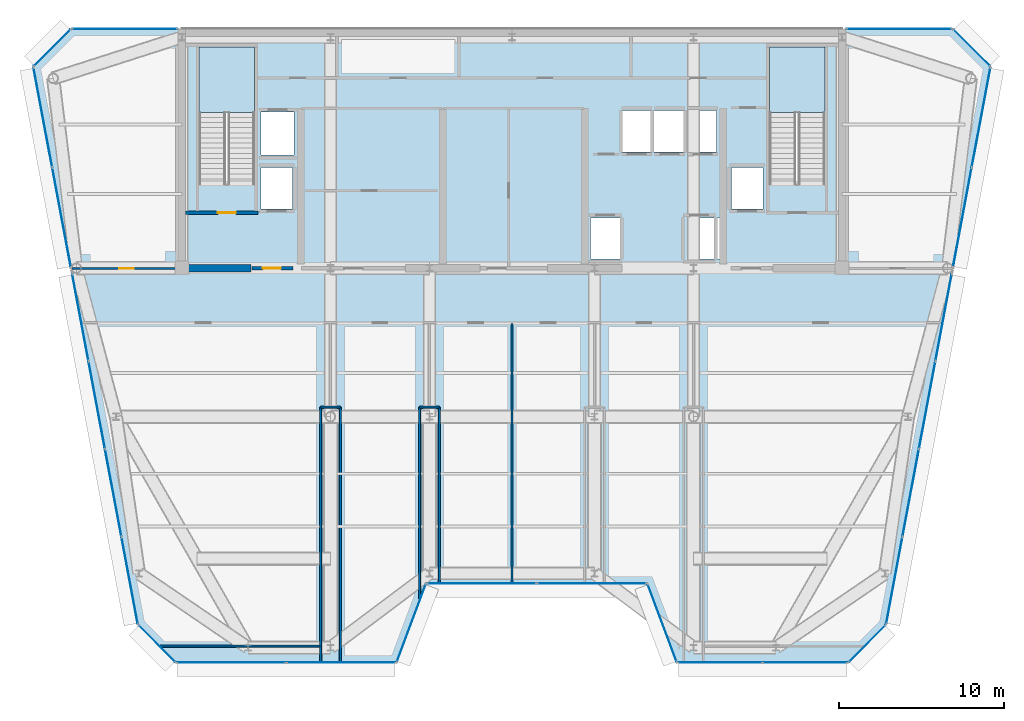
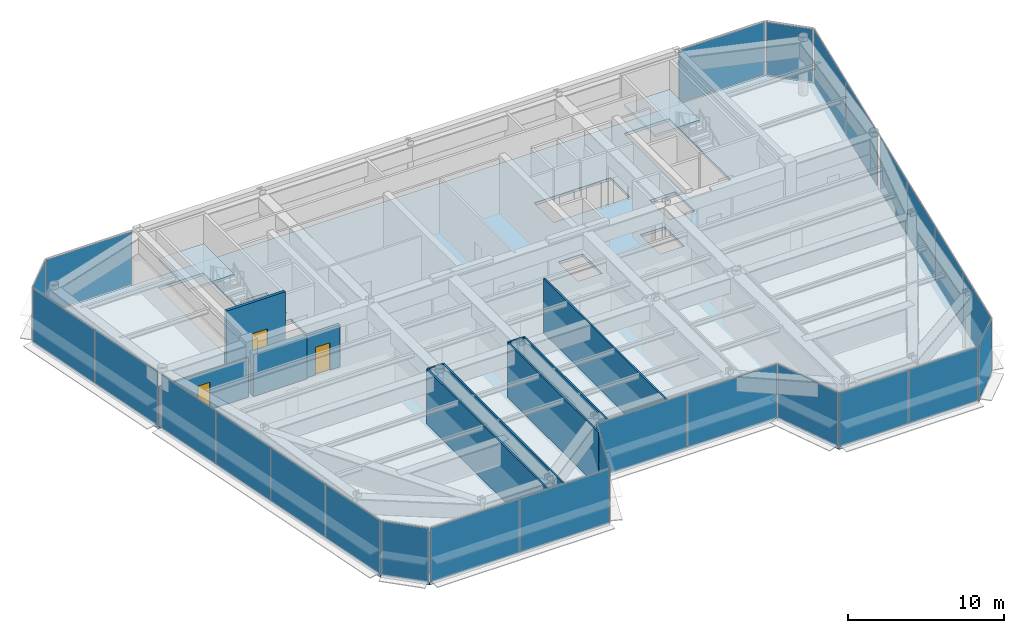
# One storey, part 10 of 20: 26 plates, 12 walls, 3 doors, 3 slabs, 3 openings, 17 elements without a shape of their own.
"""IFC4 building model written with IfcOpenShell, lengths in metres."""

from ifc_helpers import new_model, si_unit, direction, frame, frame_2d, origin, origin_2d, place, context, subcontext, project, spatial, polyline, rectangle, outline, extrude, source, transform, mapped, material, layer, layer_set, type_object, element, fill, aggregate, save


model = new_model("IFC4")

# Units and contexts
model_context = context("Model", 3, precision=1e-05, world=origin(), true_north=direction((0.0, 1.0)))
body_context = subcontext(model_context, "Body", "Model", "MODEL_VIEW")
ifc_project = project(units=[si_unit("LENGTHUNIT", "METRE"), si_unit("AREAUNIT", "SQUARE_METRE"), si_unit("VOLUMEUNIT", "CUBIC_METRE"), si_unit("PLANEANGLEUNIT", "RADIAN"), si_unit("MASSUNIT", "GRAM", prefix="KILO")], contexts=[model_context])

# Site, building, storey
site_placement = place(None, origin())
site = spatial("IfcSite", under=ifc_project, at=site_placement, CompositionType="ELEMENT")
building_placement = place(site_placement, origin())
building = spatial("IfcBuilding", under=site, at=building_placement, Name="Vaeldorn Concourse Tower", CompositionType="ELEMENT")
storey_placement = place(building_placement, frame((0.0, 0.0, 299.199951171875)))
storey = spatial("IfcBuildingStorey", under=building, at=storey_placement, Name="L77", CompositionType="ELEMENT", Elevation=299.199951171875)

# Stair, slab
ifc_material_1 = material(Name="Precast concrete C40/50", Category="concrete")
stair_type = type_object("IfcStairType", Name="STR-DOG-30x153", PredefinedType="HALF_TURN_STAIR", material=ifc_material_1)
stair_1_placement = place(storey_placement, origin())
stair_1 = element("IfcStair", 1, at=stair_1_placement, inside=storey, type_object=stair_type, Name="L77 West Core Exit Stair ST-1", PredefinedType="HALF_TURN_STAIR")
ifc_material_2 = material(Name="Concrete C40/50", Category="concrete")
ifc_layer_1 = layer(ifc_material_2, 0.199951171875)
ifc_layer_set_1 = layer_set([ifc_layer_1], Name="Concrete C40/50")
slab_type_1 = type_object("IfcSlabType", Name="SL-STAIR-LANDING", PredefinedType="LANDING", material=ifc_layer_set_1)
slab_1_placement = place(storey_placement, frame((0.0, 0.0, 2.10009765625)))
slab_1 = element("IfcSlab", 2, at=slab_1_placement, type_object=slab_type_1, Name="ST-1 landing 1", PredefinedType="LANDING", context=body_context, shape_type="SweptSolid", body=[
    extrude(outline(polyline([(18.39990234375, 45.93994140625), (18.39990234375, 49.89990234375), (15.050048828125, 49.89990234375), (15.050048828125, 45.93994140625), (18.39990234375, 45.93994140625)])), origin(), (0.0, 0.0, 1.0), 0.199951171875),
])
aggregate(stair_1, [slab_1])

stair_2_placement = place(storey_placement, origin())
stair_2 = element("IfcStair", 3, at=stair_2_placement, inside=storey, type_object=stair_type, Name="L77 East Core Exit Stair ST-2", PredefinedType="HALF_TURN_STAIR")
slab_2_placement = place(storey_placement, frame((0.0, 0.0, 2.10009765625)))
slab_2 = element("IfcSlab", 4, at=slab_2_placement, type_object=slab_type_1, Name="ST-2 landing 1", PredefinedType="LANDING", context=body_context, shape_type="SweptSolid", body=[
    extrude(outline(polyline([(52.949951171875, 45.93994140625), (52.949951171875, 49.89990234375), (49.60009765625, 49.89990234375), (49.60009765625, 45.93994140625), (52.949951171875, 45.93994140625)])), origin(), (0.0, 0.0, 1.0), 0.199951171875),
])
aggregate(stair_2, [slab_2])

# Slab
ifc_layer_2 = layer(ifc_material_2, 0.219970703125)
ifc_layer_set_2 = layer_set([ifc_layer_2], Name="Concrete C40/50")
slab_type_2 = type_object("IfcSlabType", Name="SL-TYP-220", PredefinedType="FLOOR", material=ifc_layer_set_2)
slab_3_placement = place(storey_placement, frame((0.0, 0.0, -0.219970703125)))
element("IfcSlab", 5, at=slab_3_placement, inside=storey, type_object=slab_type_2, Name="Structural Floor Slab L77", PredefinedType="FLOOR", context=body_context, shape_type="SweptSolid", body=[
    extrude(outline(polyline([(13.635986328125, 12.60009765625), (27.0, 12.60009765625), (28.800048828125, 17.39990234375), (42.199951171875, 17.39990234375), (44.0, 12.60009765625), (54.364013671875, 12.60009765625), (56.6640625, 14.89990234375), (63.0, 48.699951171875), (60.699951171875, 51.0), (7.300048828125, 51.0), (5.0, 48.699951171875), (11.3359375, 14.89990234375), (13.635986328125, 12.60009765625)]), holes=[polyline([(18.39990234375, 42.0), (18.39990234375, 49.89990234375), (15.050048828125, 49.89990234375), (15.050048828125, 41.60009765625), (16.800048828125, 41.60009765625), (16.800048828125, 42.0), (18.39990234375, 42.0)]), polyline([(52.949951171875, 42.0), (52.949951171875, 49.89990234375), (49.60009765625, 49.89990234375), (49.60009765625, 41.60009765625), (51.35009765625, 41.60009765625), (51.35009765625, 42.0), (52.949951171875, 42.0)]), polyline([(38.75, 37.050048828125), (40.550048828125, 37.050048828125), (40.550048828125, 39.550048828125), (38.75, 39.550048828125), (38.75, 37.050048828125)]), polyline([(44.85009765625, 37.050048828125), (46.64990234375, 37.050048828125), (46.64990234375, 39.550048828125), (44.85009765625, 39.550048828125), (44.85009765625, 37.050048828125)]), polyline([(40.699951171875, 43.550048828125), (46.39990234375, 43.550048828125), (46.39990234375, 46.050048828125), (40.699951171875, 46.050048828125), (40.699951171875, 43.550048828125)]), polyline([(18.800048828125, 43.35009765625), (20.800048828125, 43.35009765625), (20.800048828125, 45.949951171875), (18.800048828125, 45.949951171875), (18.800048828125, 43.35009765625)]), polyline([(18.800048828125, 40.10009765625), (20.699951171875, 40.10009765625), (20.699951171875, 42.60009765625), (18.800048828125, 42.60009765625), (18.800048828125, 40.10009765625)]), polyline([(47.300048828125, 40.10009765625), (49.199951171875, 40.10009765625), (49.199951171875, 42.60009765625), (47.300048828125, 42.60009765625), (47.300048828125, 40.10009765625)])]), origin(), (0.0, 0.0, 1.0), 0.219970703125),
])

# Curtain wall, plates
ifc_material_3 = material(Name="Anodised Bronze Aluminium", Category="aluminium")
ifc_layer_3 = layer(ifc_material_3, 0.179931640625)
ifc_layer_set_3 = layer_set([ifc_layer_3], Name="Anodised Bronze Aluminium")
curtain_wall_type = type_object("IfcCurtainWallType", Name="CW-SYS-05", PredefinedType="NOTDEFINED", material=ifc_layer_set_3)
curtain_wall_1_placement = place(storey_placement, origin())
curtain_wall_1 = element("IfcCurtainWall", 6, at=curtain_wall_1_placement, inside=storey, type_object=curtain_wall_type, Name="Unitised Curtain Wall CW-L77-E01-1", PredefinedType="NOTDEFINED")
ifc_material_4 = material(Name="Bronze Tinted Low-E Insulated Glass", Category="glass")
ifc_layer_4 = layer(ifc_material_4, 0.031982421875)
ifc_layer_set_4 = layer_set([ifc_layer_4], Name="Bronze Tinted Low-E Insulated Glass")
plate_type = type_object("IfcPlateType", Name="CWP-VISION-32", PredefinedType="CURTAIN_PANEL", material=ifc_layer_set_4)
shared_shape_1 = source(origin(), body_context, "Body", "SweptSolid", [
    extrude(rectangle(XDim=6.58447265625, YDim=0.031982421875, at=origin_2d()), origin(), (0.0, 0.0, 1.0), 4.169921875),
])
plate_1_placement = place(storey_placement, frame((16.9931640625, 12.60009765625, 0.065185546875), z_axis=(0.0, 0.0, 1.0), x_axis=(1.0, 0.0, 0.0)))
plate_1 = element("IfcPlate", 7, at=plate_1_placement, type_object=plate_type, Name="CW-05 panel 1.1", PredefinedType="CURTAIN_PANEL", context=body_context, shape_type="MappedRepresentation", body=[
    mapped(shared_shape_1, transform((0.0, 0.0, 0.0), scale=1.0)),
])
plate_2_placement = place(storey_placement, frame((23.642822265625, 12.60009765625, 0.065185546875), z_axis=(0.0, 0.0, 1.0), x_axis=(1.0, 0.0, 0.0)))
plate_2 = element("IfcPlate", 8, at=plate_2_placement, type_object=plate_type, Name="CW-05 panel 2.1", PredefinedType="CURTAIN_PANEL", context=body_context, shape_type="MappedRepresentation", body=[
    mapped(shared_shape_1, transform((0.0, 0.0, 0.0), scale=1.0)),
])
aggregate(curtain_wall_1, [plate_1, plate_2])

# Curtain wall, plate
curtain_wall_2_placement = place(storey_placement, origin())
curtain_wall_2 = element("IfcCurtainWall", 9, at=curtain_wall_2_placement, inside=storey, type_object=curtain_wall_type, Name="Unitised Curtain Wall CW-L77-E02-1", PredefinedType="NOTDEFINED")
shared_shape_2 = source(origin(), body_context, "Body", "SweptSolid", [
    extrude(rectangle(XDim=4.996337890625, YDim=0.031982421875, at=origin_2d()), origin(), (0.0, 0.0, 1.0), 4.169921875),
])
plate_3_placement = place(storey_placement, frame((27.89990234375, 15.0, 0.065185546875), z_axis=(0.0, 0.0, 1.0), x_axis=(0.351123441595, 0.936329177566, 0.0)))
plate_3 = element("IfcPlate", 10, at=plate_3_placement, type_object=plate_type, Name="CW-05 panel 1.1", PredefinedType="CURTAIN_PANEL", context=body_context, shape_type="MappedRepresentation", body=[
    mapped(shared_shape_2, transform((0.0, 0.0, 0.0), scale=1.0)),
])
aggregate(curtain_wall_2, [plate_3])

curtain_wall_3_placement = place(storey_placement, origin())
curtain_wall_3 = element("IfcCurtainWall", 11, at=curtain_wall_3_placement, inside=storey, type_object=curtain_wall_type, Name="Unitised Curtain Wall CW-L77-E04-1", PredefinedType="NOTDEFINED")
plate_4_placement = place(storey_placement, frame((43.10009765625, 15.0, 0.065185546875), z_axis=(0.0, 0.0, 1.0), x_axis=(0.351123441595, -0.936329177566, 0.0)))
plate_4 = element("IfcPlate", 12, at=plate_4_placement, type_object=plate_type, Name="CW-05 panel 1.1", PredefinedType="CURTAIN_PANEL", context=body_context, shape_type="MappedRepresentation", body=[
    mapped(shared_shape_2, transform((0.0, 0.0, 0.0), scale=1.0)),
])
aggregate(curtain_wall_3, [plate_4])

# Curtain wall, plates
curtain_wall_4_placement = place(storey_placement, origin())
curtain_wall_4 = element("IfcCurtainWall", 13, at=curtain_wall_4_placement, inside=storey, type_object=curtain_wall_type, Name="Unitised Curtain Wall CW-L77-E03-1", PredefinedType="NOTDEFINED")
shared_shape_3 = source(origin(), body_context, "Body", "SweptSolid", [
    extrude(rectangle(XDim=6.6025390625, YDim=0.031982421875, at=origin_2d()), origin(), (0.0, 0.0, 1.0), 4.169921875),
])
plate_5_placement = place(storey_placement, frame((32.166259765625, 17.39990234375, 0.065185546875), z_axis=(0.0, 0.0, 1.0), x_axis=(1.0, 0.0, 0.0)))
plate_5 = element("IfcPlate", 14, at=plate_5_placement, type_object=plate_type, Name="CW-05 panel 1.1", PredefinedType="CURTAIN_PANEL", context=body_context, shape_type="MappedRepresentation", body=[
    mapped(shared_shape_3, transform((0.0, 0.0, 0.0), scale=1.0)),
])
plate_6_placement = place(storey_placement, frame((38.833740234375, 17.39990234375, 0.065185546875), z_axis=(0.0, 0.0, 1.0), x_axis=(1.0, 0.0, 0.0)))
plate_6 = element("IfcPlate", 15, at=plate_6_placement, type_object=plate_type, Name="CW-05 panel 2.1", PredefinedType="CURTAIN_PANEL", context=body_context, shape_type="MappedRepresentation", body=[
    mapped(shared_shape_3, transform((0.0, 0.0, 0.0), scale=1.0)),
])
aggregate(curtain_wall_4, [plate_5, plate_6])

curtain_wall_5_placement = place(storey_placement, origin())
curtain_wall_5 = element("IfcCurtainWall", 16, at=curtain_wall_5_placement, inside=storey, type_object=curtain_wall_type, Name="Unitised Curtain Wall CW-L77-E05-1", PredefinedType="NOTDEFINED")
shared_shape_4 = source(origin(), body_context, "Body", "SweptSolid", [
    extrude(rectangle(XDim=5.08447265625, YDim=0.031982421875, at=origin_2d()), origin(), (0.0, 0.0, 1.0), 4.169921875),
])
plate_7_placement = place(storey_placement, frame((46.607177734375, 12.60009765625, 0.065185546875), z_axis=(0.0, 0.0, 1.0), x_axis=(1.0, 0.0, 0.0)))
plate_7 = element("IfcPlate", 17, at=plate_7_placement, type_object=plate_type, Name="CW-05 panel 1.1", PredefinedType="CURTAIN_PANEL", context=body_context, shape_type="MappedRepresentation", body=[
    mapped(shared_shape_4, transform((0.0, 0.0, 0.0), scale=1.0)),
])
plate_8_placement = place(storey_placement, frame((51.7568359375, 12.60009765625, 0.065185546875), z_axis=(0.0, 0.0, 1.0), x_axis=(1.0, 0.0, 0.0)))
plate_8 = element("IfcPlate", 18, at=plate_8_placement, type_object=plate_type, Name="CW-05 panel 2.1", PredefinedType="CURTAIN_PANEL", context=body_context, shape_type="MappedRepresentation", body=[
    mapped(shared_shape_4, transform((0.0, 0.0, 0.0), scale=1.0)),
])
aggregate(curtain_wall_5, [plate_7, plate_8])

# Curtain wall, plate
curtain_wall_6_placement = place(storey_placement, origin())
curtain_wall_6 = element("IfcCurtainWall", 19, at=curtain_wall_6_placement, inside=storey, type_object=curtain_wall_type, Name="Unitised Curtain Wall CW-L77-E06-1", PredefinedType="NOTDEFINED")
shared_shape_5 = source(origin(), body_context, "Body", "SweptSolid", [
    extrude(rectangle(XDim=3.122802734375, YDim=0.031982421875, at=origin_2d()), origin(), (0.0, 0.0, 1.0), 4.169921875),
])
plate_9_placement = place(storey_placement, frame((55.513916015625, 13.75, 0.065185546875), z_axis=(0.0, 0.0, 1.0), x_axis=(0.707106781187, 0.707106781187, 0.0)))
plate_9 = element("IfcPlate", 20, at=plate_9_placement, type_object=plate_type, Name="CW-05 panel 1.1", PredefinedType="CURTAIN_PANEL", context=body_context, shape_type="MappedRepresentation", body=[
    mapped(shared_shape_5, transform((0.0, 0.0, 0.0), scale=1.0)),
])
aggregate(curtain_wall_6, [plate_9])

curtain_wall_7_placement = place(storey_placement, origin())
curtain_wall_7 = element("IfcCurtainWall", 21, at=curtain_wall_7_placement, inside=storey, type_object=curtain_wall_type, Name="Unitised Curtain Wall CW-L77-E08-1", PredefinedType="NOTDEFINED")
plate_10_placement = place(storey_placement, frame((61.85009765625, 49.85009765625, 0.065185546875), z_axis=(0.0, 0.0, 1.0), x_axis=(-0.707106781187, 0.707106781187, 0.0)))
plate_10 = element("IfcPlate", 22, at=plate_10_placement, type_object=plate_type, Name="CW-05 panel 1.1", PredefinedType="CURTAIN_PANEL", context=body_context, shape_type="MappedRepresentation", body=[
    mapped(shared_shape_5, transform((0.0, 0.0, 0.0), scale=1.0)),
])
aggregate(curtain_wall_7, [plate_10])

curtain_wall_8_placement = place(storey_placement, origin())
curtain_wall_8 = element("IfcCurtainWall", 23, at=curtain_wall_8_placement, inside=storey, type_object=curtain_wall_type, Name="Unitised Curtain Wall CW-L77-E10-1", PredefinedType="NOTDEFINED")
plate_11_placement = place(storey_placement, frame((6.14990234375, 49.85009765625, 0.065185546875), z_axis=(0.0, 0.0, 1.0), x_axis=(-0.707106781187, -0.707106781187, 0.0)))
plate_11 = element("IfcPlate", 24, at=plate_11_placement, type_object=plate_type, Name="CW-05 panel 1.1", PredefinedType="CURTAIN_PANEL", context=body_context, shape_type="MappedRepresentation", body=[
    mapped(shared_shape_5, transform((0.0, 0.0, 0.0), scale=1.0)),
])
aggregate(curtain_wall_8, [plate_11])

curtain_wall_9_placement = place(storey_placement, origin())
curtain_wall_9 = element("IfcCurtainWall", 25, at=curtain_wall_9_placement, inside=storey, type_object=curtain_wall_type, Name="Unitised Curtain Wall CW-L77-E12-1", PredefinedType="NOTDEFINED")
plate_12_placement = place(storey_placement, frame((12.486083984375, 13.75, 0.065185546875), z_axis=(0.0, 0.0, 1.0), x_axis=(0.707106781187, -0.707106781187, 0.0)))
plate_12 = element("IfcPlate", 26, at=plate_12_placement, type_object=plate_type, Name="CW-05 panel 1.1", PredefinedType="CURTAIN_PANEL", context=body_context, shape_type="MappedRepresentation", body=[
    mapped(shared_shape_5, transform((0.0, 0.0, 0.0), scale=1.0)),
])
aggregate(curtain_wall_9, [plate_12])

# Curtain wall, plates
curtain_wall_10_placement = place(storey_placement, origin())
curtain_wall_10 = element("IfcCurtainWall", 27, at=curtain_wall_10_placement, inside=storey, type_object=curtain_wall_type, Name="Unitised Curtain Wall CW-L77-E07-1", PredefinedType="NOTDEFINED")
shared_shape_6 = source(origin(), body_context, "Body", "SweptSolid", [
    extrude(rectangle(XDim=5.31640625, YDim=0.031982421875, at=origin_2d()), origin(), (0.0, 0.0, 1.0), 4.169921875),
])
plate_13_placement = place(storey_placement, frame((57.165771484375, 17.57666015625, 0.065185546875), z_axis=(0.0, 0.0, 1.0), x_axis=(0.184246714088, 0.982880027444, 0.0)))
plate_13 = element("IfcPlate", 28, at=plate_13_placement, type_object=plate_type, Name="CW-05 panel 1.1", PredefinedType="CURTAIN_PANEL", context=body_context, shape_type="MappedRepresentation", body=[
    mapped(shared_shape_6, transform((0.0, 0.0, 0.0), scale=1.0)),
])
plate_14_placement = place(storey_placement, frame((60.15234375, 33.50830078125, 0.065185546875), z_axis=(0.0, 0.0, 1.0), x_axis=(0.184246714088, 0.982880027444, 0.0)))
plate_14 = element("IfcPlate", 29, at=plate_14_placement, type_object=plate_type, Name="CW-05 panel 4.1", PredefinedType="CURTAIN_PANEL", context=body_context, shape_type="MappedRepresentation", body=[
    mapped(shared_shape_6, transform((0.0, 0.0, 0.0), scale=1.0)),
])

curtain_wall_11_placement = place(storey_placement, origin())
curtain_wall_11 = element("IfcCurtainWall", 30, at=curtain_wall_11_placement, inside=storey, type_object=curtain_wall_type, Name="Unitised Curtain Wall CW-L77-E11-2", PredefinedType="NOTDEFINED")
plate_15_placement = place(storey_placement, frame((7.84765625, 33.50830078125, 0.065185546875), z_axis=(0.0, 0.0, 1.0), x_axis=(0.184246714088, -0.982880027444, 0.0)))
plate_15 = element("IfcPlate", 31, at=plate_15_placement, type_object=plate_type, Name="CW-05 panel 1.1", PredefinedType="CURTAIN_PANEL", context=body_context, shape_type="MappedRepresentation", body=[
    mapped(shared_shape_6, transform((0.0, 0.0, 0.0), scale=1.0)),
])
plate_16_placement = place(storey_placement, frame((10.834228515625, 17.57666015625, 0.065185546875), z_axis=(0.0, 0.0, 1.0), x_axis=(0.184246714088, -0.982880027444, 0.0)))
plate_16 = element("IfcPlate", 32, at=plate_16_placement, type_object=plate_type, Name="CW-05 panel 4.1", PredefinedType="CURTAIN_PANEL", context=body_context, shape_type="MappedRepresentation", body=[
    mapped(shared_shape_6, transform((0.0, 0.0, 0.0), scale=1.0)),
])

# Plate
shared_shape_7 = source(origin(), body_context, "Body", "SweptSolid", [
    extrude(rectangle(XDim=5.348876953125, YDim=0.031982421875, at=origin_2d()), origin(), (0.0, 0.0, 1.0), 4.169921875),
])
plate_17_placement = place(storey_placement, frame((58.16015625, 22.8818359375, 0.065185546875), z_axis=(0.0, 0.0, 1.0), x_axis=(0.184246714088, 0.982880027444, 0.0)))
plate_17 = element("IfcPlate", 33, at=plate_17_placement, type_object=plate_type, Name="CW-05 panel 2.1", PredefinedType="CURTAIN_PANEL", context=body_context, shape_type="MappedRepresentation", body=[
    mapped(shared_shape_7, transform((0.0, 0.0, 0.0), scale=1.0)),
])

plate_18_placement = place(storey_placement, frame((59.15771484375, 28.203125, 0.065185546875), z_axis=(0.0, 0.0, 1.0), x_axis=(0.184246714088, 0.982880027444, 0.0)))
plate_18 = element("IfcPlate", 34, at=plate_18_placement, type_object=plate_type, Name="CW-05 panel 3.1", PredefinedType="CURTAIN_PANEL", context=body_context, shape_type="MappedRepresentation", body=[
    mapped(shared_shape_7, transform((0.0, 0.0, 0.0), scale=1.0)),
])

aggregate(curtain_wall_10, [plate_13, plate_17, plate_18, plate_14])

plate_19_placement = place(storey_placement, frame((8.84228515625, 28.203125, 0.065185546875), z_axis=(0.0, 0.0, 1.0), x_axis=(0.184246714088, -0.982880027444, 0.0)))
plate_19 = element("IfcPlate", 35, at=plate_19_placement, type_object=plate_type, Name="CW-05 panel 2.1", PredefinedType="CURTAIN_PANEL", context=body_context, shape_type="MappedRepresentation", body=[
    mapped(shared_shape_7, transform((0.0, 0.0, 0.0), scale=1.0)),
])

plate_20_placement = place(storey_placement, frame((9.83984375, 22.8818359375, 0.065185546875), z_axis=(0.0, 0.0, 1.0), x_axis=(0.184246714088, -0.982880027444, 0.0)))
plate_20 = element("IfcPlate", 36, at=plate_20_placement, type_object=plate_type, Name="CW-05 panel 3.1", PredefinedType="CURTAIN_PANEL", context=body_context, shape_type="MappedRepresentation", body=[
    mapped(shared_shape_7, transform((0.0, 0.0, 0.0), scale=1.0)),
])

aggregate(curtain_wall_11, [plate_15, plate_19, plate_20, plate_16])

# Curtain wall, plates
curtain_wall_12_placement = place(storey_placement, origin())
curtain_wall_12 = element("IfcCurtainWall", 37, at=curtain_wall_12_placement, inside=storey, type_object=curtain_wall_type, Name="Unitised Curtain Wall CW-L77-E07-2", PredefinedType="NOTDEFINED")
shared_shape_8 = source(origin(), body_context, "Body", "SweptSolid", [
    extrude(rectangle(XDim=6.103515625, YDim=0.031982421875, at=origin_2d()), origin(), (0.0, 0.0, 1.0), 4.169921875),
])
plate_21_placement = place(storey_placement, frame((61.289306640625, 39.57373046875, 0.065185546875), z_axis=(0.0, 0.0, 1.0), x_axis=(0.184245693053, 0.982880218842, 0.0)))
plate_21 = element("IfcPlate", 38, at=plate_21_placement, type_object=plate_type, Name="CW-05 panel 1.1", PredefinedType="CURTAIN_PANEL", context=body_context, shape_type="MappedRepresentation", body=[
    mapped(shared_shape_8, transform((0.0, 0.0, 0.0), scale=1.0)),
])
plate_22_placement = place(storey_placement, frame((62.42578125, 45.63671875, 0.065185546875), z_axis=(0.0, 0.0, 1.0), x_axis=(0.184245693053, 0.982880218842, 0.0)))
plate_22 = element("IfcPlate", 39, at=plate_22_placement, type_object=plate_type, Name="CW-05 panel 2.1", PredefinedType="CURTAIN_PANEL", context=body_context, shape_type="MappedRepresentation", body=[
    mapped(shared_shape_8, transform((0.0, 0.0, 0.0), scale=1.0)),
])
aggregate(curtain_wall_12, [plate_21, plate_22])

curtain_wall_13_placement = place(storey_placement, origin())
curtain_wall_13 = element("IfcCurtainWall", 40, at=curtain_wall_13_placement, inside=storey, type_object=curtain_wall_type, Name="Unitised Curtain Wall CW-L77-E11-1", PredefinedType="NOTDEFINED")
plate_23_placement = place(storey_placement, frame((5.57421875, 45.63671875, 0.065185546875), z_axis=(0.0, 0.0, 1.0), x_axis=(0.184245693053, -0.982880218842, 0.0)))
plate_23 = element("IfcPlate", 41, at=plate_23_placement, type_object=plate_type, Name="CW-05 panel 1.1", PredefinedType="CURTAIN_PANEL", context=body_context, shape_type="MappedRepresentation", body=[
    mapped(shared_shape_8, transform((0.0, 0.0, 0.0), scale=1.0)),
])
plate_24_placement = place(storey_placement, frame((6.710693359375, 39.57373046875, 0.065185546875), z_axis=(0.0, 0.0, 1.0), x_axis=(0.184245693053, -0.982880218842, 0.0)))
plate_24 = element("IfcPlate", 42, at=plate_24_placement, type_object=plate_type, Name="CW-05 panel 2.1", PredefinedType="CURTAIN_PANEL", context=body_context, shape_type="MappedRepresentation", body=[
    mapped(shared_shape_8, transform((0.0, 0.0, 0.0), scale=1.0)),
])
aggregate(curtain_wall_13, [plate_23, plate_24])

# Curtain wall, plate
curtain_wall_14_placement = place(storey_placement, origin())
curtain_wall_14 = element("IfcCurtainWall", 43, at=curtain_wall_14_placement, inside=storey, type_object=curtain_wall_type, Name="Unitised Curtain Wall CW-L77-E09-1", PredefinedType="NOTDEFINED")
shared_shape_9 = source(origin(), body_context, "Body", "SweptSolid", [
    extrude(rectangle(XDim=6.35009765625, YDim=0.031982421875, at=origin_2d()), origin(), (0.0, 0.0, 1.0), 4.169921875),
])
plate_25_placement = place(storey_placement, frame((57.4599609375, 51.0, 0.065185546875), z_axis=(0.0, 0.0, 1.0), x_axis=(-1.0, 0.0, 0.0)))
plate_25 = element("IfcPlate", 44, at=plate_25_placement, type_object=plate_type, Name="CW-05 panel 1.1", PredefinedType="CURTAIN_PANEL", context=body_context, shape_type="MappedRepresentation", body=[
    mapped(shared_shape_9, transform((0.0, 0.0, 0.0), scale=1.0)),
])
aggregate(curtain_wall_14, [plate_25])

curtain_wall_15_placement = place(storey_placement, origin())
curtain_wall_15 = element("IfcCurtainWall", 45, at=curtain_wall_15_placement, inside=storey, type_object=curtain_wall_type, Name="Unitised Curtain Wall CW-L77-E09-2", PredefinedType="NOTDEFINED")
plate_26_placement = place(storey_placement, frame((10.5400390625, 51.0, 0.065185546875), z_axis=(0.0, 0.0, 1.0), x_axis=(-1.0, 0.0, 0.0)))
plate_26 = element("IfcPlate", 46, at=plate_26_placement, type_object=plate_type, Name="CW-05 panel 1.1", PredefinedType="CURTAIN_PANEL", context=body_context, shape_type="MappedRepresentation", body=[
    mapped(shared_shape_9, transform((0.0, 0.0, 0.0), scale=1.0)),
])
aggregate(curtain_wall_15, [plate_26])

# Wall
ifc_material_5 = material(Name="Concrete C50/60", Category="concrete")
ifc_layer_5 = layer(ifc_material_5, 0.449951171875)
ifc_layer_set_5 = layer_set([ifc_layer_5], Name="Concrete C50/60")
wall_type_1 = type_object("IfcWallType", Name="WL-CORE-450", PredefinedType="SHEAR", material=ifc_layer_set_5)
wall_1_placement = place(storey_placement, frame((14.2451171875, 36.5, 0.0), z_axis=(0.0, 0.0, 1.0), x_axis=(1.0, 0.0, 0.0)))
element("IfcWall", 47, at=wall_1_placement, inside=storey, type_object=wall_type_1, Name="Rear Core Shear Wall L77 S1", PredefinedType="SHEAR", context=body_context, shape_type="SweptSolid", body=[
    extrude(rectangle(XDim=3.954833984375, YDim=0.449951171875, at=frame_2d((1.9775390625, 0.0))), origin(), (0.0, 0.0, 1.0), 3.300048828125),
])

# Wall, opening, door
ifc_material_6 = material(Name="Gypsum Board Partition", Category="gypsum")
ifc_layer_6 = layer(ifc_material_6, 0.1201171875)
ifc_layer_set_6 = layer_set([ifc_layer_6], Name="Gypsum Board Partition")
wall_type_2 = type_object("IfcWallType", Name="WL-PART-120", PredefinedType="PARTITIONING", material=ifc_layer_set_6)
wall_2_placement = place(storey_placement, frame((7.336181640625, 36.47998046875, 0.0), z_axis=(0.0, 0.0, 1.0), x_axis=(1.0, 0.0, 0.0)))
wall_2 = element("IfcWall", 48, at=wall_2_placement, inside=storey, type_object=wall_type_2, Name="Interior Wall PW-L77-NWS", PredefinedType="PARTITIONING", context=body_context, shape_type="SweptSolid", body=[
    extrude(rectangle(XDim=6.603759765625, YDim=0.1201171875, at=frame_2d((3.3017578125, 0.0))), origin(), (0.0, 0.0, 1.0), 3.090087890625),
])
opening_1_placement = place(wall_2_placement, frame((2.85205078125, 0.0, 0.0)))
opening_1 = element("IfcOpeningElement", 49, at=opening_1_placement, cuts=wall_2, Name="Opening D-03", PredefinedType="OPENING", context=body_context, shape_type="SweptSolid", body=[
    extrude(rectangle(XDim=0.89990234375, YDim=2.14990234375, at=frame_2d((0.449951171875, 1.074951171875))), frame((0.0, 0.070068359375, 0.0), z_axis=(0.0, -1.0, 0.0), x_axis=(1.0, 0.0, 0.0)), (0.0, 0.0, 1.0), 0.14013671875),
])
ifc_material_7 = material(Name="Acoustic Bronze-Framed Glass Door", Category="glass")
door_type_1 = type_object("IfcDoorType", Name="DR-INT-900", OperationType="NOTDEFINED", PredefinedType="DOOR", material=ifc_material_7)
shared_shape_10 = source(origin(), body_context, "Body", "SweptSolid", [
    extrude(rectangle(XDim=0.89990234375, YDim=2.14990234375, at=frame_2d((0.449951171875, 1.074951171875))), frame((0.0, 0.02490234375, 0.0), z_axis=(0.0, -1.0, 0.0), x_axis=(1.0, 0.0, 0.0)), (0.0, 0.0, 1.0), 0.050048828125),
])
door_1_placement = place(opening_1_placement, origin())
door_1 = element("IfcDoor", 50, at=door_1_placement, inside=storey, type_object=door_type_1, Name="Interior Door DR-L77-NWC", OperationType="SINGLE_SWING_LEFT", OverallHeight=2.14990234375, OverallWidth=0.89990234375, PredefinedType="DOOR", context=body_context, shape_type="MappedRepresentation", body=[
    mapped(shared_shape_10, transform((0.0, 0.0, 0.0), scale=1.0)),
])
fill(opening_1, door_1)

# Walls
wall_3_placement = place(storey_placement, frame((12.676025390625, 13.60009765625, 0.0), z_axis=(0.0, 0.0, 1.0), x_axis=(1.0, 0.0, 0.0)))
element("IfcWall", 51, at=wall_3_placement, inside=storey, type_object=wall_type_2, Name="Interior Wall PW-L77-FLW", PredefinedType="PARTITIONING", context=body_context, shape_type="SweptSolid", body=[
    extrude(rectangle(XDim=9.68408203125, YDim=0.1201171875, at=frame_2d((4.842041015625, 0.0))), origin(), (0.0, 0.0, 1.0), 3.090087890625),
])
for number, where, z_axis, x_axis, name in (
    (52, (22.39990234375, 12.639892578125, 0.0), (0.0, 0.0, 1.0), (0.0, 1.0, 0.0), "Interior Wall PW-L77-SB1W"),
    (53, (23.60009765625, 12.639892578125, 0.0), (0.0, 0.0, 1.0), (0.0, 1.0, 0.0), "Interior Wall PW-L77-SB1E"),
):
    element("IfcWall", number, at=place(storey_placement, frame(where, z_axis=z_axis, x_axis=x_axis)), inside=storey, type_object=wall_type_2, Name=name, PredefinedType="PARTITIONING", context=body_context, shape_type="SweptSolid", body=[
        extrude(rectangle(XDim=15.440185546875, YDim=0.1201171875, at=frame_2d((7.72021484375, 0.0))), origin(), (0.0, 0.0, 1.0), 4.300048828125),
    ])
wall_4_placement = place(storey_placement, frame((22.39990234375, 28.080078125, 0.0), z_axis=(0.0, 0.0, 1.0), x_axis=(1.0, 0.0, 0.0)))
element("IfcWall", 54, at=wall_4_placement, inside=storey, type_object=wall_type_2, Name="Interior Wall PW-L77-SB1N", PredefinedType="PARTITIONING", context=body_context, shape_type="SweptSolid", body=[
    extrude(rectangle(XDim=1.2001953125, YDim=0.1201171875, at=frame_2d((0.60009765625, 0.0))), origin(), (0.0, 0.0, 1.0), 4.300048828125),
])
wall_5_placement = place(storey_placement, frame((28.39990234375, 16.373291015625, 0.0), z_axis=(0.0, 0.0, 1.0), x_axis=(0.0, 1.0, 0.0)))
element("IfcWall", 55, at=wall_5_placement, inside=storey, type_object=wall_type_2, Name="Interior Wall PW-L77-SB2W", PredefinedType="PARTITIONING", context=body_context, shape_type="SweptSolid", body=[
    extrude(rectangle(XDim=11.706787109375, YDim=0.1201171875, at=frame_2d((5.853515625, 0.0))), origin(), (0.0, 0.0, 1.0), 4.300048828125),
])
wall_6_placement = place(storey_placement, frame((29.60009765625, 17.43994140625, 0.0), z_axis=(0.0, 0.0, 1.0), x_axis=(0.0, 1.0, 0.0)))
element("IfcWall", 56, at=wall_6_placement, inside=storey, type_object=wall_type_2, Name="Interior Wall PW-L77-SB2E", PredefinedType="PARTITIONING", context=body_context, shape_type="SweptSolid", body=[
    extrude(rectangle(XDim=10.64013671875, YDim=0.1201171875, at=frame_2d((5.320068359375, 0.0))), origin(), (0.0, 0.0, 1.0), 4.300048828125),
])
wall_7_placement = place(storey_placement, frame((28.39990234375, 28.080078125, 0.0), z_axis=(0.0, 0.0, 1.0), x_axis=(1.0, 0.0, 0.0)))
element("IfcWall", 57, at=wall_7_placement, inside=storey, type_object=wall_type_2, Name="Interior Wall PW-L77-SB2N", PredefinedType="PARTITIONING", context=body_context, shape_type="SweptSolid", body=[
    extrude(rectangle(XDim=1.2001953125, YDim=0.1201171875, at=frame_2d((0.60009765625, 0.0))), origin(), (0.0, 0.0, 1.0), 4.300048828125),
])
wall_8_placement = place(storey_placement, frame((34.0, 17.43994140625, 0.0), z_axis=(0.0, 0.0, 1.0), x_axis=(0.0, 1.0, 0.0)))
element("IfcWall", 58, at=wall_8_placement, inside=storey, type_object=wall_type_2, Name="Interior Wall PW-L77-SBX3", PredefinedType="PARTITIONING", context=body_context, shape_type="SweptSolid", body=[
    extrude(rectangle(XDim=15.699951171875, YDim=0.1201171875, at=frame_2d((7.85009765625, 0.0))), origin(), (0.0, 0.0, 1.0), 4.300048828125),
])

# Wall, opening, door
ifc_layer_7 = layer(ifc_material_5, 0.199951171875)
ifc_layer_set_7 = layer_set([ifc_layer_7], Name="Concrete C50/60")
wall_type_3 = type_object("IfcWallType", Name="WL-SHAFT-200", PredefinedType="SOLIDWALL", material=ifc_layer_set_7)
wall_9_placement = place(storey_placement, frame((14.22509765625, 39.85009765625, 0.0), z_axis=(0.0, 0.0, 1.0), x_axis=(1.0, 0.0, 0.0)))
wall_9 = element("IfcWall", 59, at=wall_9_placement, inside=storey, type_object=wall_type_3, Name="Stair Shaft Wall CW-L77-ST-1-S", PredefinedType="SOLIDWALL", context=body_context, shape_type="SweptSolid", body=[
    extrude(rectangle(XDim=4.375, YDim=0.199951171875, at=frame_2d((2.1875, 0.0))), origin(), (0.0, 0.0, 1.0), 4.60009765625),
])
opening_2_placement = place(wall_9_placement, frame((1.949951171875, 0.0, 0.0)))
opening_2 = element("IfcOpeningElement", 60, at=opening_2_placement, cuts=wall_9, Name="Opening D-01", PredefinedType="OPENING", context=body_context, shape_type="SweptSolid", body=[
    extrude(rectangle(XDim=1.10009765625, YDim=2.14990234375, at=frame_2d((0.550048828125, 1.074951171875))), frame((0.0, 0.10986328125, 0.0), z_axis=(0.0, -1.0, 0.0), x_axis=(1.0, 0.0, 0.0)), (0.0, 0.0, 1.0), 0.219970703125),
])
ifc_material_8 = material(Name="Fire-Rated Timber and Steel Leaf", Category="steel")
door_type_2 = type_object("IfcDoorType", Name="DR-FD60-1100", OperationType="NOTDEFINED", PredefinedType="DOOR", material=ifc_material_8)
shared_shape_11 = source(origin(), body_context, "Body", "SweptSolid", [
    extrude(rectangle(XDim=1.10009765625, YDim=2.14990234375, at=frame_2d((0.550048828125, 1.074951171875))), frame((0.0, 0.02490234375, 0.0), z_axis=(0.0, -1.0, 0.0), x_axis=(1.0, 0.0, 0.0)), (0.0, 0.0, 1.0), 0.050048828125),
])
door_2_placement = place(opening_2_placement, origin())
door_2 = element("IfcDoor", 61, at=door_2_placement, inside=storey, type_object=door_type_2, Name="Interior Door DR-L77-ST-1", OperationType="SINGLE_SWING_LEFT", OverallHeight=2.14990234375, OverallWidth=1.10009765625, PredefinedType="DOOR", context=body_context, shape_type="MappedRepresentation", body=[
    mapped(shared_shape_11, transform((0.0, 0.0, 0.0), scale=1.0)),
])
fill(opening_2, door_2)

wall_10_placement = place(storey_placement, frame((18.25, 36.5, 0.0), z_axis=(0.0, 0.0, 1.0), x_axis=(1.0, 0.0, 0.0)))
wall_10 = element("IfcWall", 62, at=wall_10_placement, inside=storey, type_object=wall_type_3, Name="Interior Wall CW-L77-FF1S", PredefinedType="SOLIDWALL", context=body_context, shape_type="SweptSolid", body=[
    extrude(rectangle(XDim=2.469970703125, YDim=0.199951171875, at=frame_2d((1.23486328125, 0.0))), origin(), (0.0, 0.0, 1.0), 3.2900390625),
])
opening_3_placement = place(wall_10_placement, frame((0.64990234375, 0.0, 0.0)))
opening_3 = element("IfcOpeningElement", 63, at=opening_3_placement, cuts=wall_10, Name="Opening D-01", PredefinedType="OPENING", context=body_context, shape_type="SweptSolid", body=[
    extrude(rectangle(XDim=1.10009765625, YDim=2.14990234375, at=frame_2d((0.550048828125, 1.074951171875))), frame((0.0, 0.10986328125, 0.0), z_axis=(0.0, -1.0, 0.0), x_axis=(1.0, 0.0, 0.0)), (0.0, 0.0, 1.0), 0.219970703125),
])
door_3_placement = place(opening_3_placement, origin())
door_3 = element("IfcDoor", 64, at=door_3_placement, inside=storey, type_object=door_type_2, Name="Interior Door DR-L77-FF1E", OperationType="SINGLE_SWING_RIGHT", OverallHeight=2.14990234375, OverallWidth=1.10009765625, PredefinedType="DOOR", context=body_context, shape_type="MappedRepresentation", body=[
    mapped(shared_shape_11, transform((0.0, 0.0, 0.0), scale=1.0)),
])
fill(opening_3, door_3)

save(model, "model.ifc")
